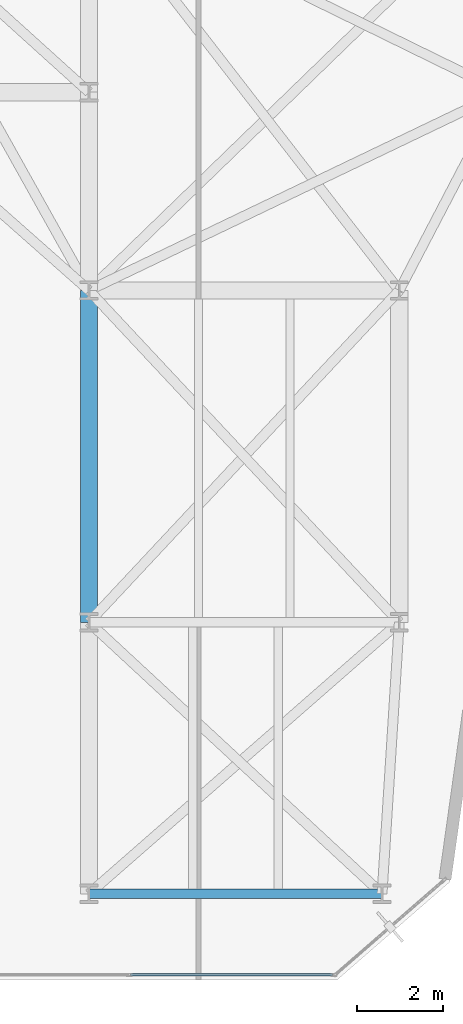
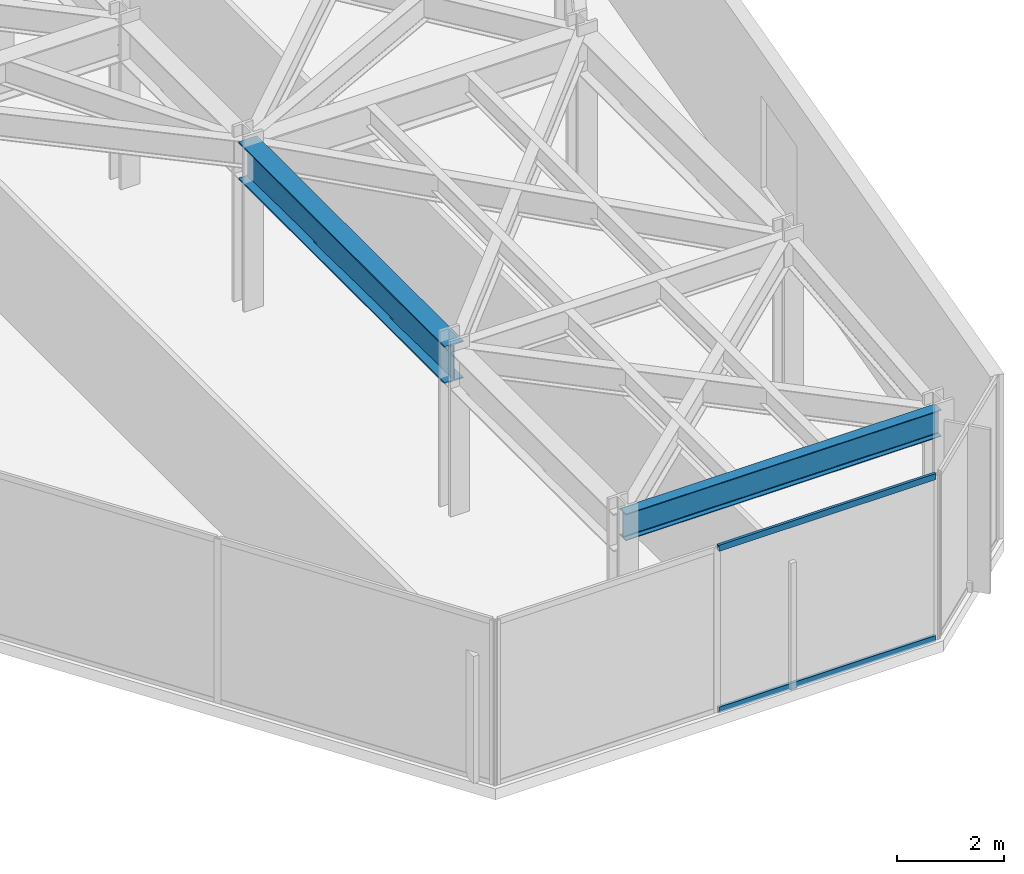
# One storey, part 18 of 26: 2 beams, 2 members, 1 element without a shape of its own.
"""IFC4 building model written with IfcOpenShell, lengths in metres."""

from ifc_helpers import new_model, si_unit, direction, frame, origin, origin_2d, place, context, subcontext, project, spatial, hollow_rectangle, i_section, extrude, material, layer, layer_set, material_profile, profile_set, type_object, element, aggregate, save


model = new_model("IFC4")

# Units and contexts
model_context = context("Model", 3, precision=1e-05, world=origin(), true_north=direction((0.0, 1.0)))
body_context = subcontext(model_context, "Body", "Model", "MODEL_VIEW")
ifc_project = project(units=[si_unit("LENGTHUNIT", "METRE"), si_unit("AREAUNIT", "SQUARE_METRE"), si_unit("VOLUMEUNIT", "CUBIC_METRE"), si_unit("PLANEANGLEUNIT", "RADIAN"), si_unit("MASSUNIT", "GRAM", prefix="KILO")], contexts=[model_context])

# Site, building, storey
site_placement = place(None, origin())
site = spatial("IfcSite", under=ifc_project, at=site_placement, CompositionType="ELEMENT")
building_placement = place(site_placement, origin())
building = spatial("IfcBuilding", under=site, at=building_placement, Name="Kravanh Interchange Tower", CompositionType="ELEMENT")
storey_placement = place(building_placement, frame((0.0, 0.0, 140.0)))
storey = spatial("IfcBuildingStorey", under=building, at=storey_placement, Name="L33", CompositionType="ELEMENT", Elevation=140.0)

# Curtain wall, members
ifc_material_1 = material(Name="Anodised Bronze Aluminium", Category="aluminium")
ifc_layer = layer(ifc_material_1, 0.179931640625)
ifc_layer_set = layer_set([ifc_layer], Name="Unitised Curtain Wall System CW-Z2 Mid Office")
curtain_wall_type = type_object("IfcCurtainWallType", Name="Unitised Curtain Wall System CW-Z2 Mid Office", PredefinedType="NOTDEFINED", material=ifc_layer_set)
curtain_wall_placement = place(storey_placement, origin())
curtain_wall = element("IfcCurtainWall", 1, at=curtain_wall_placement, inside=storey, type_object=curtain_wall_type, Name="L33 Unitised Curtain Wall CW-L33-03", PredefinedType="NOTDEFINED")
ifc_material_2 = material(Name="Anodised Bronze Aluminium", Category="aluminium")
ifc_material_profile_1 = material_profile(ifc_material_2, hollow_rectangle(XDim=0.06005859375, YDim=0.139892578125, WallThickness=0.00390625, at=origin_2d()), Name="ALU60X140X4")
ifc_profile_set_1 = profile_set([ifc_material_profile_1], Name="Anodised Bronze Aluminium")
member_type = type_object("IfcMemberType", Name="Curtain Wall Transom ALU60X140X4 Bronze", PredefinedType="USERDEFINED", material=ifc_profile_set_1)
member_1_placement = place(storey_placement, frame((61.650146484375, 6.320068359375, 0.030029296875), z_axis=(-1.0, 0.0, 0.0), x_axis=(0.0, -1.0, 0.0)))
member_1 = element("IfcMember", 2, at=member_1_placement, type_object=member_type, Name="CW-Z2 transom 1.1", ObjectType="TRANSOM", PredefinedType="USERDEFINED", context=body_context, shape_type="SweptSolid", body=[
    extrude(hollow_rectangle(XDim=0.06005859375, YDim=0.139892578125, WallThickness=0.00390625, at=origin_2d()), origin(), (0.0, 0.0, 1.0), 4.68212890625),
])
member_2_placement = place(storey_placement, frame((61.650146484375, 6.320068359375, 3.719970703125), z_axis=(-1.0, 0.0, 0.0), x_axis=(0.0, -1.0, 0.0)))
member_2 = element("IfcMember", 3, at=member_2_placement, type_object=member_type, Name="CW-Z2 transom 1.2", ObjectType="TRANSOM", PredefinedType="USERDEFINED", context=body_context, shape_type="SweptSolid", body=[
    extrude(hollow_rectangle(XDim=0.06005859375, YDim=0.139892578125, WallThickness=0.00390625, at=origin_2d()), origin(), (0.0, 0.0, 1.0), 4.68212890625),
])
aggregate(curtain_wall, [member_1, member_2])

# Beams
ifc_material_3 = material(Name="Structural Steel S355", Category="steel")
ifc_material_profile_2 = material_profile(ifc_material_3, i_section(OverallWidth=0.39990234375, OverallDepth=0.85595703125, WebThickness=0.018310546875, FlangeThickness=0.029296875, FilletRadius=0.02490234375, at=origin_2d()), Name="W33X201")
ifc_profile_set_2 = profile_set([ifc_material_profile_2], Name="Structural Steel S355")
beam_type_1 = type_object("IfcBeamType", Name="Floor Beam W33X201 Structural Steel S355", PredefinedType="BEAM", material=ifc_profile_set_2)
beam_1_placement = place(storey_placement, frame((56.0, 14.5, 3.322021484375), z_axis=(0.0, 1.0, 0.0), x_axis=(-1.0, 0.0, 0.0)))
element("IfcBeam", 4, at=beam_1_placement, inside=storey, type_object=beam_type_1, Name="L33 Primary Floor Girder 104", PredefinedType="BEAM", context=body_context, shape_type="SweptSolid", body=[
    extrude(i_section(OverallWidth=0.39990234375, OverallDepth=0.85595703125, WebThickness=0.018310546875, FlangeThickness=0.029296875, FilletRadius=0.02490234375, at=origin_2d()), origin(), (0.0, 0.0, 1.0), 7.699951171875),
])
ifc_material_4 = material(Name="Structural Steel S355", Category="steel")
ifc_material_profile_3 = material_profile(ifc_material_4, i_section(OverallWidth=0.22802734375, OverallDepth=0.60791015625, WebThickness=0.01123046875, FlangeThickness=0.017333984375, FilletRadius=0.02197265625, at=origin_2d()), Name="W24X76")
ifc_profile_set_3 = profile_set([ifc_material_profile_3], Name="Structural Steel S355")
beam_type_2 = type_object("IfcBeamType", Name="Floor Spandrel W24X76 Structural Steel S355", PredefinedType="SPANDREL", material=ifc_profile_set_3)
beam_2_placement = place(storey_placement, frame((56.0, 8.199951171875, 3.446044921875), z_axis=(1.0, 0.0, 0.0), x_axis=(0.0, 1.0, 0.0)))
element("IfcBeam", 5, at=beam_2_placement, inside=storey, type_object=beam_type_2, Name="L33 Perimeter Spandrel 96", PredefinedType="SPANDREL", context=body_context, shape_type="SweptSolid", body=[
    extrude(i_section(OverallWidth=0.22802734375, OverallDepth=0.60791015625, WebThickness=0.01123046875, FlangeThickness=0.017333984375, FilletRadius=0.02197265625, at=origin_2d()), origin(), (0.0, 0.0, 1.0), 6.800048828125),
])

save(model, "model.ifc")
